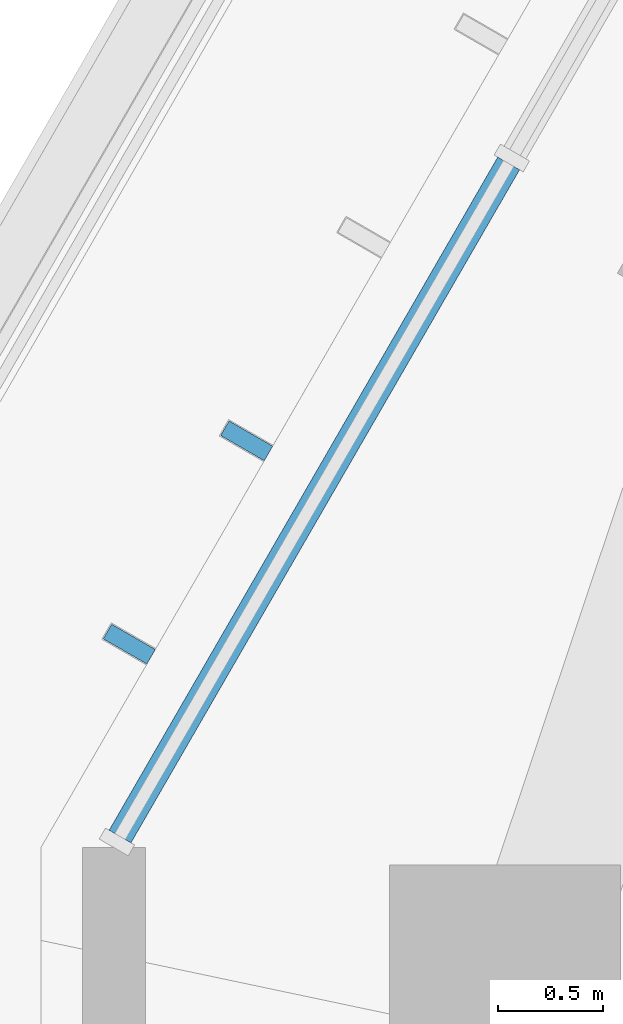
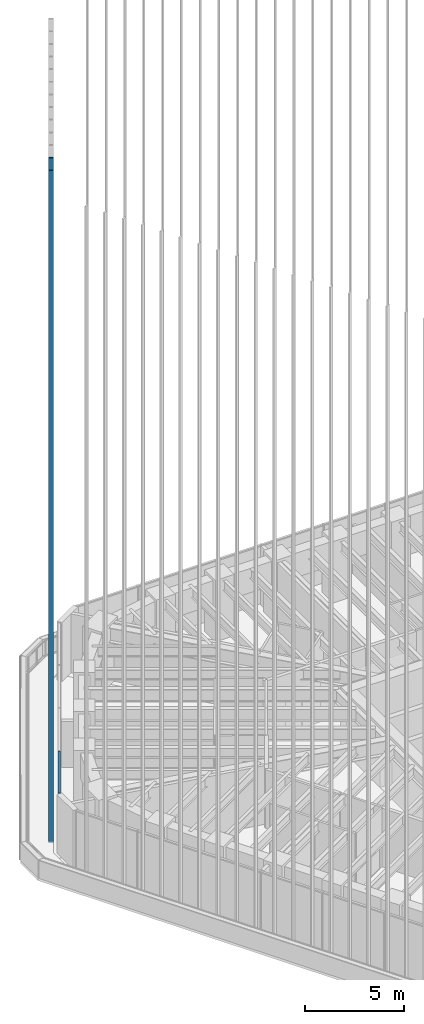
# One storey, part 56 of 127: 3 members, 1 element without a shape of its own.
"""IFC4 building model written with IfcOpenShell, lengths in metres."""

from ifc_helpers import new_model, si_unit, direction, frame, origin, origin_2d, place, context, subcontext, project, spatial, rectangle, extrude, material, material_profile, profile_set, type_object, element, aggregate, save


model = new_model("IFC4")

# Units and contexts
model_context = context("Model", 3, precision=1e-05, world=origin(), true_north=direction((0.0, 1.0)))
body_context = subcontext(model_context, "Body", "Model", "MODEL_VIEW")
ifc_project = project(units=[si_unit("LENGTHUNIT", "METRE"), si_unit("AREAUNIT", "SQUARE_METRE"), si_unit("VOLUMEUNIT", "CUBIC_METRE"), si_unit("PLANEANGLEUNIT", "RADIAN"), si_unit("MASSUNIT", "GRAM", prefix="KILO")], contexts=[model_context])

# Site, building, storey
site_placement = place(None, origin())
site = spatial("IfcSite", under=ifc_project, at=site_placement, CompositionType="ELEMENT")
building_placement = place(site_placement, origin())
building = spatial("IfcBuilding", under=site, at=building_placement, Name="Sandreach Pilgrim Tower", CompositionType="ELEMENT")
storey_placement = place(building_placement, frame((0.0, 0.0, 257.0)))
storey = spatial("IfcBuildingStorey", under=building, at=storey_placement, Name="L64", CompositionType="ELEMENT", Elevation=257.0)

# Curtain wall, members
ifc_material_1 = material(Name="Aluminium framed curtain wall", Category="aluminium")
curtain_wall_type = type_object("IfcCurtainWallType", Name="Suite tower curtain wall", PredefinedType="NOTDEFINED", material=ifc_material_1)
curtain_wall_placement = place(storey_placement, origin())
curtain_wall = element("IfcCurtainWall", 1, at=curtain_wall_placement, inside=storey, type_object=curtain_wall_type, Name="CW-4 L64 NW", PredefinedType="NOTDEFINED")
ifc_material_2 = material(Name="Aluminium extrusion", Category="aluminium")
ifc_material_profile_1 = material_profile(ifc_material_2, rectangle(XDim=0.1201171875, YDim=0.070068359375, at=origin_2d()), Name="CW-4T 120X70")
ifc_profile_set_1 = profile_set([ifc_material_profile_1], Name="Aluminium extrusion")
member_type_1 = type_object("IfcMemberType", Name="CW-4 transom", PredefinedType="USERDEFINED", material=ifc_profile_set_1)
member_1_placement = place(storey_placement, frame((-25.289306640625, 5.91357421875, 3.60498046875), z_axis=(0.499990780478, 0.866030726613, 0.0), x_axis=(-0.866030726613, 0.499990780478, 0.0)))
member_1 = element("IfcMember", 2, at=member_1_placement, type_object=member_type_1, Name="CW-4 head transom 1", ObjectType="TRANSOM", PredefinedType="USERDEFINED", context=body_context, shape_type="SweptSolid", body=[
    extrude(rectangle(XDim=0.1201171875, YDim=0.070068359375, at=origin_2d()), origin(), (0.0, 0.0, 1.0), 3.70166015625),
])
ifc_material_3 = material(Name="Extruded terracotta on aluminium core", Category="masonry")
ifc_material_profile_2 = material_profile(ifc_material_3, rectangle(XDim=0.080078125, YDim=0.239990234375, at=origin_2d()), Name="TBW 80X240")
ifc_profile_set_2 = profile_set([ifc_material_profile_2], Name="Extruded terracotta on aluminium core")
member_type_2 = type_object("IfcMemberType", Name="Terracotta baguette west", PredefinedType="USERDEFINED", material=ifc_profile_set_2)
member_2_placement = place(storey_placement, frame((-25.245361328125, 6.829833984375, 0.0), z_axis=(0.0, 0.0, 1.0), x_axis=(0.5, 0.866025403784, 0.0)))
member_2 = element("IfcMember", 3, at=member_2_placement, type_object=member_type_2, Name="Baguette Z4 NW01", ObjectType="BAGUETTE", PredefinedType="USERDEFINED", context=body_context, shape_type="SweptSolid", body=[
    extrude(rectangle(XDim=0.080078125, YDim=0.239990234375, at=origin_2d()), origin(), (0.0, 0.0, 1.0), 41.639892578125),
])
member_3_placement = place(storey_placement, frame((-24.686279296875, 7.798095703125, 0.0), z_axis=(0.0, 0.0, 1.0), x_axis=(0.5, 0.866025403784, 0.0)))
member_3 = element("IfcMember", 4, at=member_3_placement, type_object=member_type_2, Name="Baguette Z4 NW02", ObjectType="BAGUETTE", PredefinedType="USERDEFINED", context=body_context, shape_type="SweptSolid", body=[
    extrude(rectangle(XDim=0.080078125, YDim=0.239990234375, at=origin_2d()), origin(), (0.0, 0.0, 1.0), 41.639892578125),
])
aggregate(curtain_wall, [member_1, member_2, member_3])

save(model, "model.ifc")
